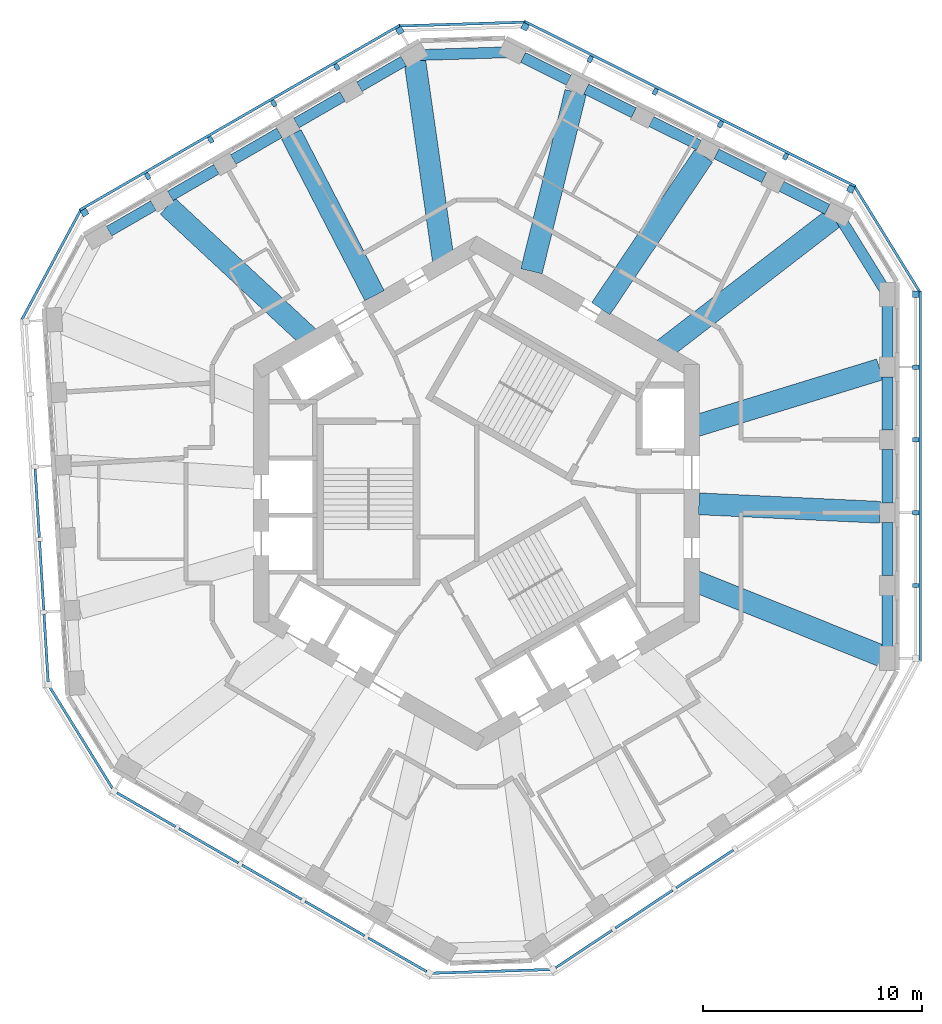
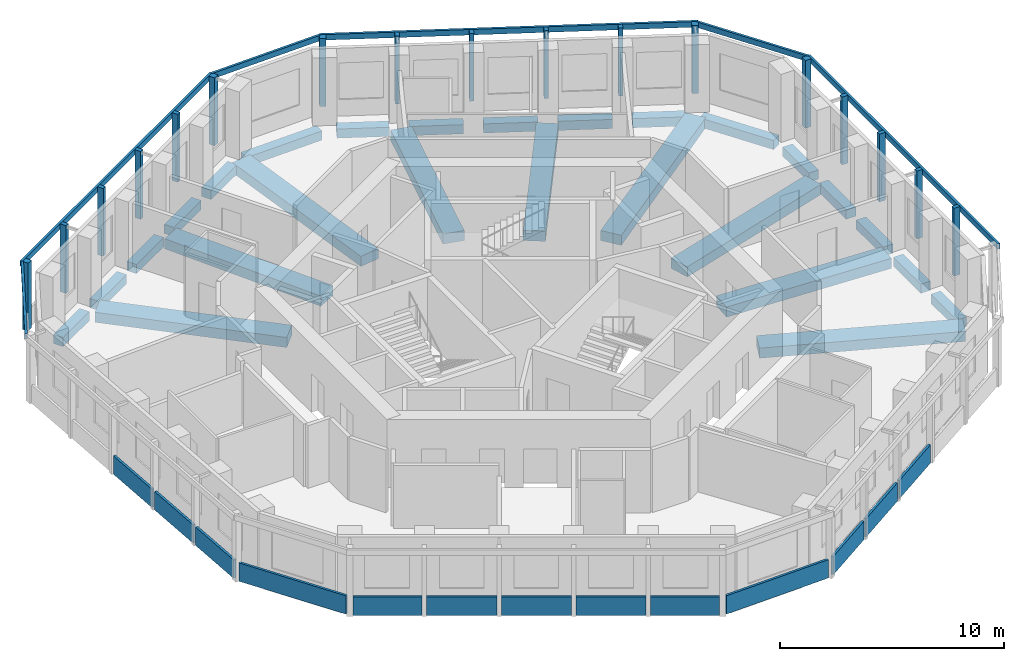
# One storey, part 2 of 10: 26 beams, 23 members, 13 plates, 11 elements without a shape of their own.
"""IFC4 building model written with IfcOpenShell, lengths in metres."""

from ifc_helpers import new_model, si_unit, direction, frame, origin, origin_2d, place, context, subcontext, project, spatial, rectangle, extrude, material, layer, layer_set, material_profile, profile_set, type_object, element, aggregate, save


model = new_model("IFC4")

# Units and contexts
model_context = context("Model", 3, precision=1e-05, world=origin(), true_north=direction((0.0, 1.0)))
body_context = subcontext(model_context, "Body", "Model", "MODEL_VIEW")
ifc_project = project(units=[si_unit("LENGTHUNIT", "METRE"), si_unit("AREAUNIT", "SQUARE_METRE"), si_unit("VOLUMEUNIT", "CUBIC_METRE"), si_unit("PLANEANGLEUNIT", "RADIAN"), si_unit("MASSUNIT", "GRAM", prefix="KILO")], contexts=[model_context])

# Site, building, storey
site_placement = place(None, origin())
site = spatial("IfcSite", under=ifc_project, at=site_placement, CompositionType="ELEMENT")
building_placement = place(site_placement, origin())
building = spatial("IfcBuilding", under=site, at=building_placement, Name="Vanh Sen Convention Tower", CompositionType="ELEMENT")
storey_placement = place(building_placement, frame((0.0, 0.0, 267.199951171875)))
storey = spatial("IfcBuildingStorey", under=building, at=storey_placement, Name="L66", CompositionType="ELEMENT", Elevation=267.199951171875)

# Curtain wall, member
ifc_material_1 = material(Name="Concrete C50/60", Category="concrete")
curtain_wall_type = type_object("IfcCurtainWallType", Name="Outer skin office zone", PredefinedType="NOTDEFINED", material=ifc_material_1)
curtain_wall_1_placement = place(storey_placement, origin())
curtain_wall_1 = element("IfcCurtainWall", 1, at=curtain_wall_1_placement, inside=storey, type_object=curtain_wall_type, Name="OUTER SKIN E L66", PredefinedType="NOTDEFINED")
ifc_material_profile_1 = material_profile(ifc_material_1, rectangle(XDim=0.300048828125, YDim=0.300048828125, at=origin_2d()), Name="Outer skin precast corner fin 300 x 300")
ifc_profile_set_1 = profile_set([ifc_material_profile_1], Name="Concrete C50/60")
member_type_1 = type_object("IfcMemberType", Name="Outer skin precast corner fin 300 x 300", PredefinedType="MULLION", material=ifc_profile_set_1)
member_1_placement = place(storey_placement, frame((20.10009765625, 9.111572265625, 0.0), z_axis=(0.0, 0.0, 1.0), x_axis=(0.0, 1.0, 0.0)))
member_1 = element("IfcMember", 2, at=member_1_placement, type_object=member_type_1, Name="OUTER SKIN CORNER FIN 6 E L66", PredefinedType="MULLION", context=body_context, shape_type="SweptSolid", body=[
    extrude(rectangle(XDim=0.300048828125, YDim=0.300048828125, at=origin_2d()), origin(), (0.0, 0.0, 1.0), 3.699951171875),
])

# Curtain wall, members
curtain_wall_2_placement = place(storey_placement, origin())
curtain_wall_2 = element("IfcCurtainWall", 3, at=curtain_wall_2_placement, inside=storey, type_object=curtain_wall_type, Name="OUTER SKIN NE L66", PredefinedType="NOTDEFINED")
member_2_placement = place(storey_placement, frame((17.122802734375, 13.922607421875, 0.0), z_axis=(0.0, 0.0, 1.0), x_axis=(-0.894934361602, 0.44619781311, 0.0)))
member_2 = element("IfcMember", 4, at=member_2_placement, type_object=member_type_1, Name="OUTER SKIN CORNER FIN 1 NE L66", PredefinedType="MULLION", context=body_context, shape_type="SweptSolid", body=[
    extrude(rectangle(XDim=0.300048828125, YDim=0.300048828125, at=origin_2d()), origin(), (0.0, 0.0, 1.0), 3.699951171875),
])
member_3_placement = place(storey_placement, frame((2.21484375, 21.35546875, 0.0), z_axis=(0.0, 0.0, 1.0), x_axis=(-0.894934361602, 0.44619781311, 0.0)))
member_3 = element("IfcMember", 5, at=member_3_placement, type_object=member_type_1, Name="OUTER SKIN CORNER FIN 6 NE L66", PredefinedType="MULLION", context=body_context, shape_type="SweptSolid", body=[
    extrude(rectangle(XDim=0.300048828125, YDim=0.300048828125, at=origin_2d()), origin(), (0.0, 0.0, 1.0), 3.699951171875),
])

curtain_wall_3_placement = place(storey_placement, origin())
curtain_wall_3 = element("IfcCurtainWall", 6, at=curtain_wall_3_placement, inside=storey, type_object=curtain_wall_type, Name="OUTER SKIN NW L66", PredefinedType="NOTDEFINED")
member_4_placement = place(storey_placement, frame((-3.514404296875, 21.180419921875, 0.0), z_axis=(0.0, 0.0, 1.0), x_axis=(-0.866025403784, -0.5, 0.0)))
member_4 = element("IfcMember", 7, at=member_4_placement, type_object=member_type_1, Name="OUTER SKIN CORNER FIN 1 NW L66", PredefinedType="MULLION", context=body_context, shape_type="SweptSolid", body=[
    extrude(rectangle(XDim=0.300048828125, YDim=0.300048828125, at=origin_2d()), origin(), (0.0, 0.0, 1.0), 3.699951171875),
])
member_5_placement = place(storey_placement, frame((-17.94091796875, 12.851318359375, 0.0), z_axis=(0.0, 0.0, 1.0), x_axis=(-0.866025403784, -0.5, 0.0)))
member_5 = element("IfcMember", 8, at=member_5_placement, type_object=member_type_1, Name="OUTER SKIN CORNER FIN 6 NW L66", PredefinedType="MULLION", context=body_context, shape_type="SweptSolid", body=[
    extrude(rectangle(XDim=0.300048828125, YDim=0.300048828125, at=origin_2d()), origin(), (0.0, 0.0, 1.0), 3.699951171875),
])

# Member
ifc_material_profile_2 = material_profile(ifc_material_1, rectangle(XDim=0.199951171875, YDim=0.300048828125, at=origin_2d()), Name="Outer skin precast fin 200 x 300")
ifc_profile_set_2 = profile_set([ifc_material_profile_2], Name="Concrete C50/60")
member_type_2 = type_object("IfcMemberType", Name="Outer skin precast fin 200 x 300", PredefinedType="MULLION", material=ifc_profile_set_2)
member_6_placement = place(storey_placement, frame((20.10009765625, -4.215087890625, 0.0), z_axis=(0.0, 0.0, 1.0), x_axis=(0.0, 1.0, 0.0)))
member_6 = element("IfcMember", 9, at=member_6_placement, type_object=member_type_2, Name="OUTER SKIN fin 2 E L66", PredefinedType="MULLION", context=body_context, shape_type="SweptSolid", body=[
    extrude(rectangle(XDim=0.199951171875, YDim=0.300048828125, at=origin_2d()), origin(), (0.0, 0.0, 1.0), 3.699951171875),
])

member_7_placement = place(storey_placement, frame((20.10009765625, -0.88330078125, 0.0), z_axis=(0.0, 0.0, 1.0), x_axis=(0.0, 1.0, 0.0)))
member_7 = element("IfcMember", 10, at=member_7_placement, type_object=member_type_2, Name="OUTER SKIN fin 3 E L66", PredefinedType="MULLION", context=body_context, shape_type="SweptSolid", body=[
    extrude(rectangle(XDim=0.199951171875, YDim=0.300048828125, at=origin_2d()), origin(), (0.0, 0.0, 1.0), 3.699951171875),
])

member_8_placement = place(storey_placement, frame((20.10009765625, 2.4482421875, 0.0), z_axis=(0.0, 0.0, 1.0), x_axis=(0.0, 1.0, 0.0)))
member_8 = element("IfcMember", 11, at=member_8_placement, type_object=member_type_2, Name="OUTER SKIN fin 4 E L66", PredefinedType="MULLION", context=body_context, shape_type="SweptSolid", body=[
    extrude(rectangle(XDim=0.199951171875, YDim=0.300048828125, at=origin_2d()), origin(), (0.0, 0.0, 1.0), 3.699951171875),
])

member_9_placement = place(storey_placement, frame((20.10009765625, 5.77978515625, 0.0), z_axis=(0.0, 0.0, 1.0), x_axis=(0.0, 1.0, 0.0)))
member_9 = element("IfcMember", 12, at=member_9_placement, type_object=member_type_2, Name="OUTER SKIN fin 5 E L66", PredefinedType="MULLION", context=body_context, shape_type="SweptSolid", body=[
    extrude(rectangle(XDim=0.199951171875, YDim=0.300048828125, at=origin_2d()), origin(), (0.0, 0.0, 1.0), 3.699951171875),
])

member_10_placement = place(storey_placement, frame((14.14111328125, 15.4091796875, 0.0), z_axis=(0.0, 0.0, 1.0), x_axis=(-0.894934361602, 0.44619781311, 0.0)))
member_10 = element("IfcMember", 13, at=member_10_placement, type_object=member_type_2, Name="OUTER SKIN fin 2 NE L66", PredefinedType="MULLION", context=body_context, shape_type="SweptSolid", body=[
    extrude(rectangle(XDim=0.199951171875, YDim=0.300048828125, at=origin_2d()), origin(), (0.0, 0.0, 1.0), 3.699951171875),
])

member_11_placement = place(storey_placement, frame((11.15966796875, 16.895751953125, 0.0), z_axis=(0.0, 0.0, 1.0), x_axis=(-0.894934361602, 0.44619781311, 0.0)))
member_11 = element("IfcMember", 14, at=member_11_placement, type_object=member_type_2, Name="OUTER SKIN fin 3 NE L66", PredefinedType="MULLION", context=body_context, shape_type="SweptSolid", body=[
    extrude(rectangle(XDim=0.199951171875, YDim=0.300048828125, at=origin_2d()), origin(), (0.0, 0.0, 1.0), 3.699951171875),
])

member_12_placement = place(storey_placement, frame((8.177978515625, 18.38232421875, 0.0), z_axis=(0.0, 0.0, 1.0), x_axis=(-0.894934361602, 0.44619781311, 0.0)))
member_12 = element("IfcMember", 15, at=member_12_placement, type_object=member_type_2, Name="OUTER SKIN fin 4 NE L66", PredefinedType="MULLION", context=body_context, shape_type="SweptSolid", body=[
    extrude(rectangle(XDim=0.199951171875, YDim=0.300048828125, at=origin_2d()), origin(), (0.0, 0.0, 1.0), 3.699951171875),
])

member_13_placement = place(storey_placement, frame((5.1962890625, 19.868896484375, 0.0), z_axis=(0.0, 0.0, 1.0), x_axis=(-0.894934361602, 0.44619781311, 0.0)))
member_13 = element("IfcMember", 16, at=member_13_placement, type_object=member_type_2, Name="OUTER SKIN fin 5 NE L66", PredefinedType="MULLION", context=body_context, shape_type="SweptSolid", body=[
    extrude(rectangle(XDim=0.199951171875, YDim=0.300048828125, at=origin_2d()), origin(), (0.0, 0.0, 1.0), 3.699951171875),
])

member_14_placement = place(storey_placement, frame((-6.399658203125, 19.5146484375, 0.0), z_axis=(0.0, 0.0, 1.0), x_axis=(-0.866025403784, -0.5, 0.0)))
member_14 = element("IfcMember", 17, at=member_14_placement, type_object=member_type_2, Name="OUTER SKIN fin 2 NW L66", PredefinedType="MULLION", context=body_context, shape_type="SweptSolid", body=[
    extrude(rectangle(XDim=0.199951171875, YDim=0.300048828125, at=origin_2d()), origin(), (0.0, 0.0, 1.0), 3.699951171875),
])

member_15_placement = place(storey_placement, frame((-9.284912109375, 17.848876953125, 0.0), z_axis=(0.0, 0.0, 1.0), x_axis=(-0.866025403784, -0.5, 0.0)))
member_15 = element("IfcMember", 18, at=member_15_placement, type_object=member_type_2, Name="OUTER SKIN fin 3 NW L66", PredefinedType="MULLION", context=body_context, shape_type="SweptSolid", body=[
    extrude(rectangle(XDim=0.199951171875, YDim=0.300048828125, at=origin_2d()), origin(), (0.0, 0.0, 1.0), 3.699951171875),
])

member_16_placement = place(storey_placement, frame((-12.170166015625, 16.18310546875, 0.0), z_axis=(0.0, 0.0, 1.0), x_axis=(-0.866025403784, -0.5, 0.0)))
member_16 = element("IfcMember", 19, at=member_16_placement, type_object=member_type_2, Name="OUTER SKIN fin 4 NW L66", PredefinedType="MULLION", context=body_context, shape_type="SweptSolid", body=[
    extrude(rectangle(XDim=0.199951171875, YDim=0.300048828125, at=origin_2d()), origin(), (0.0, 0.0, 1.0), 3.699951171875),
])

member_17_placement = place(storey_placement, frame((-15.055419921875, 14.51708984375, 0.0), z_axis=(0.0, 0.0, 1.0), x_axis=(-0.866025403784, -0.5, 0.0)))
member_17 = element("IfcMember", 20, at=member_17_placement, type_object=member_type_2, Name="OUTER SKIN fin 5 NW L66", PredefinedType="MULLION", context=body_context, shape_type="SweptSolid", body=[
    extrude(rectangle(XDim=0.199951171875, YDim=0.300048828125, at=origin_2d()), origin(), (0.0, 0.0, 1.0), 3.699951171875),
])

ifc_material_profile_3 = material_profile(ifc_material_1, rectangle(XDim=0.1201171875, YDim=0.300048828125, at=origin_2d()), Name="Outer skin precast spandrel band 300 x 120")
ifc_profile_set_3 = profile_set([ifc_material_profile_3], Name="Concrete C50/60")
member_type_3 = type_object("IfcMemberType", Name="Outer skin precast spandrel band 300 x 120", PredefinedType="USERDEFINED", material=ifc_profile_set_3)
member_18_placement = place(storey_placement, frame((20.31005859375, -7.69677734375, 3.550048828125), z_axis=(0.0, 1.0, 0.0), x_axis=(-1.0, 0.0, 0.0)))
member_18 = element("IfcMember", 21, at=member_18_placement, type_object=member_type_3, Name="OUTER SKIN spandrel band E L66", ObjectType="TRANSOM", PredefinedType="USERDEFINED", context=body_context, shape_type="SweptSolid", body=[
    extrude(rectangle(XDim=0.1201171875, YDim=0.300048828125, at=origin_2d()), origin(), (0.0, 0.0, 1.0), 16.958251953125),
])

aggregate(curtain_wall_1, [member_6, member_7, member_8, member_9, member_1, member_18])

# Curtain wall, member
curtain_wall_4_placement = place(storey_placement, origin())
curtain_wall_4 = element("IfcCurtainWall", 22, at=curtain_wall_4_placement, inside=storey, type_object=curtain_wall_type, Name="OUTER SKIN CH1 L66", PredefinedType="NOTDEFINED")
member_19_placement = place(storey_placement, frame((20.278564453125, 9.221923828125, 3.550048828125), z_axis=(-0.52621200061, 0.850353415007, 0.0), x_axis=(-0.850353415007, -0.52621200061, 0.0)))
member_19 = element("IfcMember", 23, at=member_19_placement, type_object=member_type_3, Name="OUTER SKIN spandrel band CH1 L66", ObjectType="TRANSOM", PredefinedType="USERDEFINED", context=body_context, shape_type="SweptSolid", body=[
    extrude(rectangle(XDim=0.1201171875, YDim=0.300048828125, at=origin_2d()), origin(), (0.0, 0.0, 1.0), 5.657958984375),
])
aggregate(curtain_wall_4, [member_19])

# Member
member_20_placement = place(storey_placement, frame((17.3505859375, 14.043701171875, 3.550048828125), z_axis=(-0.894933383827, 0.446199774218, 0.0), x_axis=(-0.446199774218, -0.894933383827, 0.0)))
member_20 = element("IfcMember", 24, at=member_20_placement, type_object=member_type_3, Name="OUTER SKIN spandrel band NE L66", ObjectType="TRANSOM", PredefinedType="USERDEFINED", context=body_context, shape_type="SweptSolid", body=[
    extrude(rectangle(XDim=0.1201171875, YDim=0.300048828125, at=origin_2d()), origin(), (0.0, 0.0, 1.0), 16.9580078125),
])

aggregate(curtain_wall_2, [member_2, member_10, member_11, member_12, member_13, member_3, member_20])

# Curtain wall, member
curtain_wall_5_placement = place(storey_placement, origin())
curtain_wall_5 = element("IfcCurtainWall", 25, at=curtain_wall_5_placement, inside=storey, type_object=curtain_wall_type, Name="OUTER SKIN CH2 L66", PredefinedType="NOTDEFINED")
member_21_placement = place(storey_placement, frame((2.208251953125, 21.5654296875, 3.550048828125), z_axis=(-0.999533527312, -0.030540592307, 0.0), x_axis=(0.030540592307, -0.999533527312, 0.0)))
member_21 = element("IfcMember", 26, at=member_21_placement, type_object=member_type_3, Name="OUTER SKIN spandrel band CH2 L66", ObjectType="TRANSOM", PredefinedType="USERDEFINED", context=body_context, shape_type="SweptSolid", body=[
    extrude(rectangle(XDim=0.1201171875, YDim=0.300048828125, at=origin_2d()), origin(), (0.0, 0.0, 1.0), 5.731689453125),
])
aggregate(curtain_wall_5, [member_21])

# Member
member_22_placement = place(storey_placement, frame((-3.489501953125, 21.4375, 3.550048828125), z_axis=(-0.866022320763, -0.500005339912, 0.0), x_axis=(0.500005339912, -0.866022320763, 0.0)))
member_22 = element("IfcMember", 27, at=member_22_placement, type_object=member_type_3, Name="OUTER SKIN spandrel band NW L66", ObjectType="TRANSOM", PredefinedType="USERDEFINED", context=body_context, shape_type="SweptSolid", body=[
    extrude(rectangle(XDim=0.1201171875, YDim=0.300048828125, at=origin_2d()), origin(), (0.0, 0.0, 1.0), 16.958251953125),
])

aggregate(curtain_wall_3, [member_4, member_14, member_15, member_16, member_17, member_5, member_22])

# Curtain wall, member
curtain_wall_6_placement = place(storey_placement, origin())
curtain_wall_6 = element("IfcCurtainWall", 28, at=curtain_wall_6_placement, inside=storey, type_object=curtain_wall_type, Name="OUTER SKIN CH3 L66", PredefinedType="NOTDEFINED")
member_23_placement = place(storey_placement, frame((-18.125732421875, 12.95068359375, 3.550048828125), z_axis=(-0.473325096028, -0.880887821161, 0.0), x_axis=(0.880887821161, -0.473325096028, 0.0)))
member_23 = element("IfcMember", 29, at=member_23_placement, type_object=member_type_3, Name="OUTER SKIN spandrel band CH3 L66", ObjectType="TRANSOM", PredefinedType="USERDEFINED", context=body_context, shape_type="SweptSolid", body=[
    extrude(rectangle(XDim=0.1201171875, YDim=0.300048828125, at=origin_2d()), origin(), (0.0, 0.0, 1.0), 5.65771484375),
])
aggregate(curtain_wall_6, [member_23])

# Beams
ifc_material_2 = material(Name="Concrete C50/60", Category="concrete")
ifc_material_profile_4 = material_profile(ifc_material_2, rectangle(XDim=1.0, YDim=0.550048828125, at=origin_2d()), Name="RC 1000X550")
ifc_profile_set_4 = profile_set([ifc_material_profile_4], Name="Concrete C50/60")
beam_type_1 = type_object("IfcBeamType", Name="Radial floor beam 1000 x 550", PredefinedType="BEAM", material=ifc_profile_set_4)
beam_1_placement = place(storey_placement, frame((18.640869140625, -7.48291015625, -0.554931640625), z_axis=(-0.928018005696, 0.372535342087, 0.0), x_axis=(-0.372535342087, -0.928018005696, 0.0)))
element("IfcBeam", 30, at=beam_1_placement, inside=storey, type_object=beam_type_1, Name="Radial beam 01 L66", PredefinedType="BEAM", context=body_context, shape_type="SweptSolid", body=[
    extrude(rectangle(XDim=1.0, YDim=0.550048828125, at=origin_2d()), origin(), (0.0, 0.0, 1.0), 9.30126953125),
])
beam_2_placement = place(storey_placement, frame((18.455078125, -0.8671875, -0.554931640625), z_axis=(-0.998898306547, 0.046927318026, 0.0), x_axis=(-0.046927318026, -0.998898306547, 0.0)))
element("IfcBeam", 31, at=beam_2_placement, inside=storey, type_object=beam_type_1, Name="Radial beam 02 L66", PredefinedType="BEAM", context=body_context, shape_type="SweptSolid", body=[
    extrude(rectangle(XDim=1.0, YDim=0.550048828125, at=origin_2d()), origin(), (0.0, 0.0, 1.0), 8.292724609375),
])
beam_3_placement = place(storey_placement, frame((18.454833984375, 5.673828125, -0.554931640625), z_axis=(-0.955847406594, -0.293863463718, 0.0), x_axis=(0.293863463718, -0.955847406594, 0.0)))
element("IfcBeam", 32, at=beam_3_placement, inside=storey, type_object=beam_type_1, Name="Radial beam 03 L66", PredefinedType="BEAM", context=body_context, shape_type="SweptSolid", body=[
    extrude(rectangle(XDim=1.0, YDim=0.550048828125, at=origin_2d()), origin(), (0.0, 0.0, 1.0), 8.794921875),
])
beam_4_placement = place(storey_placement, frame((16.4306640625, 12.672607421875, -0.554931640625), z_axis=(-0.791844751327, -0.610722432695, 0.0), x_axis=(0.610722432695, -0.791844751327, 0.0)))
element("IfcBeam", 33, at=beam_4_placement, inside=storey, type_object=beam_type_1, Name="Radial beam 04 L66", PredefinedType="BEAM", context=body_context, shape_type="SweptSolid", body=[
    extrude(rectangle(XDim=1.0, YDim=0.550048828125, at=origin_2d()), origin(), (0.0, 0.0, 1.0), 9.931640625),
])
beam_5_placement = place(storey_placement, frame((10.38525390625, 15.443603515625, -0.554931640625), z_axis=(-0.558018918526, -0.829828227145, 0.0), x_axis=(0.829828227145, -0.558018918526, 0.0)))
element("IfcBeam", 34, at=beam_5_placement, inside=storey, type_object=beam_type_1, Name="Radial beam 05 L66", PredefinedType="BEAM", context=body_context, shape_type="SweptSolid", body=[
    extrude(rectangle(XDim=1.0, YDim=0.550048828125, at=origin_2d()), origin(), (0.0, 0.0, 1.0), 8.426025390625),
])
beam_6_placement = place(storey_placement, frame((4.531494140625, 18.362060546875, -0.554931640625), z_axis=(-0.239595668833, -0.970872759674, 0.0), x_axis=(0.970872759674, -0.239595668833, 0.0)))
element("IfcBeam", 35, at=beam_6_placement, inside=storey, type_object=beam_type_1, Name="Radial beam 06 L66", PredefinedType="BEAM", context=body_context, shape_type="SweptSolid", body=[
    extrude(rectangle(XDim=1.0, YDim=0.550048828125, at=origin_2d()), origin(), (0.0, 0.0, 1.0), 8.444091796875),
])
beam_7_placement = place(storey_placement, frame((-2.840087890625, 19.885009765625, -0.554931640625), z_axis=(0.141395633576, -0.989953167986, 0.0), x_axis=(0.989953167986, 0.141395633576, 0.0)))
element("IfcBeam", 36, at=beam_7_placement, inside=storey, type_object=beam_type_1, Name="Radial beam 07 L66", PredefinedType="BEAM", context=body_context, shape_type="SweptSolid", body=[
    extrude(rectangle(XDim=1.0, YDim=0.550048828125, at=origin_2d()), origin(), (0.0, 0.0, 1.0), 9.301513671875),
])
beam_8_placement = place(storey_placement, frame((-8.476318359375, 16.416015625, -0.554931640625), z_axis=(0.458787653856, -0.888545940664, 0.0), x_axis=(0.888545940664, 0.458787653856, 0.0)))
element("IfcBeam", 37, at=beam_8_placement, inside=storey, type_object=beam_type_1, Name="Radial beam 08 L66", PredefinedType="BEAM", context=body_context, shape_type="SweptSolid", body=[
    extrude(rectangle(XDim=1.0, YDim=0.550048828125, at=origin_2d()), origin(), (0.0, 0.0, 1.0), 8.29248046875),
])
beam_9_placement = place(storey_placement, frame((-14.14111328125, 13.1455078125, -0.554931640625), z_axis=(0.732424605886, -0.680848145104, 0.0), x_axis=(0.680848145104, 0.732424605886, 0.0)))
element("IfcBeam", 38, at=beam_9_placement, inside=storey, type_object=beam_type_1, Name="Radial beam 09 L66", PredefinedType="BEAM", context=body_context, shape_type="SweptSolid", body=[
    extrude(rectangle(XDim=1.0, YDim=0.550048828125, at=origin_2d()), origin(), (0.0, 0.0, 1.0), 8.794921875),
])
ifc_material_profile_5 = material_profile(ifc_material_2, rectangle(XDim=0.5, YDim=0.5, at=origin_2d()), Name="RC 500X500")
ifc_profile_set_5 = profile_set([ifc_material_profile_5], Name="Concrete C50/60")
beam_type_2 = type_object("IfcBeamType", Name="Spandrel beam 500 x 500", PredefinedType="SPANDREL", material=ifc_profile_set_5)
beam_10_placement = place(storey_placement, frame((18.800048828125, -7.001708984375, -0.530029296875), z_axis=(0.0, 1.0, 0.0), x_axis=(-1.0, 0.0, 0.0)))
element("IfcBeam", 39, at=beam_10_placement, inside=storey, type_object=beam_type_2, Name="Spandrel beam 01 L66", PredefinedType="SPANDREL", context=body_context, shape_type="SweptSolid", body=[
    extrude(rectangle(XDim=0.5, YDim=0.5, at=origin_2d()), origin(), (0.0, 0.0, 1.0), 2.341552734375),
])
for number, where, z_axis, x_axis, name in (
    (40, (18.800048828125, -3.77001953125, -0.530029296875), (0.0, 1.0, 0.0), (-1.0, 0.0, 0.0), "Spandrel beam 02 L66"),
    (41, (18.800048828125, -0.4384765625, -0.530029296875), (0.0, 1.0, 0.0), (-1.0, 0.0, 0.0), "Spandrel beam 03 L66"),
    (42, (18.800048828125, 2.893310546875, -0.530029296875), (0.0, 1.0, 0.0), (-1.0, 0.0, 0.0), "Spandrel beam 04 L66"),
):
    element("IfcBeam", number, at=place(storey_placement, frame(where, z_axis=z_axis, x_axis=x_axis)), inside=storey, type_object=beam_type_2, Name=name, PredefinedType="SPANDREL", context=body_context, shape_type="SweptSolid", body=[
        extrude(rectangle(XDim=0.5, YDim=0.5, at=origin_2d()), origin(), (0.0, 0.0, 1.0), 2.441650390625),
    ])
beam_11_placement = place(storey_placement, frame((18.800048828125, 6.224853515625, -0.530029296875), z_axis=(0.0, 1.0, 0.0), x_axis=(-1.0, 0.0, 0.0)))
element("IfcBeam", 43, at=beam_11_placement, inside=storey, type_object=beam_type_2, Name="Spandrel beam 05 L66", PredefinedType="SPANDREL", context=body_context, shape_type="SweptSolid", body=[
    extrude(rectangle(XDim=0.5, YDim=0.5, at=origin_2d()), origin(), (0.0, 0.0, 1.0), 2.341552734375),
])
beam_12_placement = place(storey_placement, frame((18.665283203125, 9.329345703125, -0.530029296875), z_axis=(-0.526223333812, 0.85034640174, 0.0), x_axis=(-0.85034640174, -0.526223333812, 0.0)))
element("IfcBeam", 44, at=beam_12_placement, inside=storey, type_object=beam_type_2, Name="Spandrel beam 06 L66", PredefinedType="SPANDREL", context=body_context, shape_type="SweptSolid", body=[
    extrude(rectangle(XDim=0.5, YDim=0.5, at=origin_2d()), origin(), (0.0, 0.0, 1.0), 3.777587890625),
])
beam_13_placement = place(storey_placement, frame((16.054931640625, 13.00244140625, -0.530029296875), z_axis=(-0.894947932365, 0.446170593334, 0.0), x_axis=(-0.446170593334, -0.894947932365, 0.0)))
element("IfcBeam", 45, at=beam_13_placement, inside=storey, type_object=beam_type_2, Name="Spandrel beam 07 L66", PredefinedType="SPANDREL", context=body_context, shape_type="SweptSolid", body=[
    extrude(rectangle(XDim=0.5, YDim=0.5, at=origin_2d()), origin(), (0.0, 0.0, 1.0), 2.341552734375),
])
for number, where, z_axis, x_axis, name in (
    (46, (13.162841796875, 14.4443359375, -0.530029296875), (-0.894946555388, 0.446173355323, 0.0), (-0.446173355323, -0.894946555388, 0.0), "Spandrel beam 08 L66"),
    (47, (10.18115234375, 15.930908203125, -0.530029296875), (-0.894906625839, 0.446253438114, 0.0), (-0.446253438114, -0.894906625839, 0.0), "Spandrel beam 09 L66"),
    (48, (7.19970703125, 17.41748046875, -0.530029296875), (-0.894946555388, 0.446173355323, 0.0), (-0.446173355323, -0.894946555388, 0.0), "Spandrel beam 10 L66"),
):
    element("IfcBeam", number, at=place(storey_placement, frame(where, z_axis=z_axis, x_axis=x_axis)), inside=storey, type_object=beam_type_2, Name=name, PredefinedType="SPANDREL", context=body_context, shape_type="SweptSolid", body=[
        extrude(rectangle(XDim=0.5, YDim=0.5, at=origin_2d()), origin(), (0.0, 0.0, 1.0), 2.441650390625),
    ])
beam_14_placement = place(storey_placement, frame((4.218017578125, 18.904052734375, -0.530029296875), z_axis=(-0.894927056226, 0.446212465127, 0.0), x_axis=(-0.446212465127, -0.894927056226, 0.0)))
element("IfcBeam", 49, at=beam_14_placement, inside=storey, type_object=beam_type_2, Name="Spandrel beam 11 L66", PredefinedType="SPANDREL", context=body_context, shape_type="SweptSolid", body=[
    extrude(rectangle(XDim=0.5, YDim=0.5, at=origin_2d()), origin(), (0.0, 0.0, 1.0), 2.341796875),
])
beam_15_placement = place(storey_placement, frame((1.36572265625, 20.183837890625, -0.530029296875), z_axis=(-0.999534883819, -0.03049616417, 0.0), x_axis=(0.03049616417, -0.999534883819, 0.0)))
element("IfcBeam", 50, at=beam_15_placement, inside=storey, type_object=beam_type_2, Name="Spandrel beam 12 L66", PredefinedType="SPANDREL", context=body_context, shape_type="SweptSolid", body=[
    extrude(rectangle(XDim=0.5, YDim=0.5, at=origin_2d()), origin(), (0.0, 0.0, 1.0), 3.962890625),
])
beam_16_placement = place(storey_placement, frame((-3.336181640625, 19.7822265625, -0.530029296875), z_axis=(-0.866027601604, -0.499996193246, 0.0), x_axis=(0.499996193246, -0.866027601604, 0.0)))
element("IfcBeam", 51, at=beam_16_placement, inside=storey, type_object=beam_type_2, Name="Spandrel beam 13 L66", PredefinedType="SPANDREL", context=body_context, shape_type="SweptSolid", body=[
    extrude(rectangle(XDim=0.5, YDim=0.5, at=origin_2d()), origin(), (0.0, 0.0, 1.0), 2.341796875),
])
for number, where, z_axis, x_axis, name in (
    (52, (-6.135009765625, 18.166259765625, -0.530029296875), (-0.866044051031, -0.49996770063, 0.0), (0.49996770063, -0.866044051031, 0.0), "Spandrel beam 14 L66"),
    (53, (-9.020263671875, 16.50048828125, -0.530029296875), (-0.866044051031, -0.49996770063, 0.0), (0.49996770063, -0.866044051031, 0.0), "Spandrel beam 15 L66"),
    (54, (-11.905517578125, 14.834716796875, -0.530029296875), (-0.866000753341, -0.500042693391, 0.0), (0.500042693391, -0.866000753341, 0.0), "Spandrel beam 16 L66"),
):
    element("IfcBeam", number, at=place(storey_placement, frame(where, z_axis=z_axis, x_axis=x_axis)), inside=storey, type_object=beam_type_2, Name=name, PredefinedType="SPANDREL", context=body_context, shape_type="SweptSolid", body=[
        extrude(rectangle(XDim=0.5, YDim=0.5, at=origin_2d()), origin(), (0.0, 0.0, 1.0), 2.441650390625),
    ])
beam_17_placement = place(storey_placement, frame((-14.791015625, 13.168701171875, -0.530029296875), z_axis=(-0.866046683436, -0.499963140751, 0.0), x_axis=(0.499963140751, -0.866046683436, 0.0)))
element("IfcBeam", 55, at=beam_17_placement, inside=storey, type_object=beam_type_2, Name="Spandrel beam 17 L66", PredefinedType="SPANDREL", context=body_context, shape_type="SweptSolid", body=[
    extrude(rectangle(XDim=0.5, YDim=0.5, at=origin_2d()), origin(), (0.0, 0.0, 1.0), 2.341552734375),
])

# Curtain wall, plates
curtain_wall_7_placement = place(storey_placement, origin())
curtain_wall_7 = element("IfcCurtainWall", 56, at=curtain_wall_7_placement, inside=storey, type_object=curtain_wall_type, Name="OUTER SKIN W L66", PredefinedType="NOTDEFINED")
ifc_layer = layer(ifc_material_1, 0.1201171875)
ifc_layer_set = layer_set([ifc_layer], Name="Concrete C50/60")
plate_type = type_object("IfcPlateType", Name="Outer skin precast screen panel 120", PredefinedType="CURTAIN_PANEL", material=ifc_layer_set)
plate_1_placement = place(storey_placement, frame((-20.1103515625, -0.4462890625, 0.0), z_axis=(0.0, 0.0, 1.0), x_axis=(0.061052023682, -0.998134585316, 0.0)))
plate_1 = element("IfcPlate", 57, at=plate_1_placement, type_object=plate_type, Name="OUTER SKIN screen panel W-3", PredefinedType="CURTAIN_PANEL", context=body_context, shape_type="SweptSolid", body=[
    extrude(rectangle(XDim=3.131591796875, YDim=0.1201171875, at=origin_2d()), origin(), (0.0, 0.0, 1.0), 1.0),
])
plate_2_placement = place(storey_placement, frame((-19.906982421875, -3.771484375, 0.0), z_axis=(0.0, 0.0, 1.0), x_axis=(0.061052023682, -0.998134585316, 0.0)))
plate_2 = element("IfcPlate", 58, at=plate_2_placement, type_object=plate_type, Name="OUTER SKIN screen panel W-4", PredefinedType="CURTAIN_PANEL", context=body_context, shape_type="SweptSolid", body=[
    extrude(rectangle(XDim=3.131591796875, YDim=0.1201171875, at=origin_2d()), origin(), (0.0, 0.0, 1.0), 1.0),
])
plate_3_placement = place(storey_placement, frame((-19.705078125, -7.072021484375, 0.0), z_axis=(0.0, 0.0, 1.0), x_axis=(0.061050281609, -0.998134691871, 0.0)))
plate_3 = element("IfcPlate", 59, at=plate_3_placement, type_object=plate_type, Name="OUTER SKIN screen panel W-5", PredefinedType="CURTAIN_PANEL", context=body_context, shape_type="SweptSolid", body=[
    extrude(rectangle(XDim=3.081787109375, YDim=0.1201171875, at=origin_2d()), origin(), (0.0, 0.0, 1.0), 1.0),
])
aggregate(curtain_wall_7, [plate_1, plate_2, plate_3])

# Curtain wall, plate
curtain_wall_8_placement = place(storey_placement, origin())
curtain_wall_8 = element("IfcCurtainWall", 60, at=curtain_wall_8_placement, inside=storey, type_object=curtain_wall_type, Name="OUTER SKIN CH4 L66", PredefinedType="NOTDEFINED")
plate_4_placement = place(storey_placement, frame((-18.09375, -11.19677734375, 0.0), z_axis=(0.0, 0.0, 1.0), x_axis=(0.526210955359, -0.850354061823, 0.0)))
plate_4 = element("IfcPlate", 61, at=plate_4_placement, type_object=plate_type, Name="OUTER SKIN screen panel CH4-1", PredefinedType="CURTAIN_PANEL", context=body_context, shape_type="SweptSolid", body=[
    extrude(rectangle(XDim=5.431640625, YDim=0.1201171875, at=origin_2d()), origin(), (0.0, 0.0, 1.0), 1.0),
])
aggregate(curtain_wall_8, [plate_4])

# Curtain wall, plates
curtain_wall_9_placement = place(storey_placement, origin())
curtain_wall_9 = element("IfcCurtainWall", 62, at=curtain_wall_9_placement, inside=storey, type_object=curtain_wall_type, Name="OUTER SKIN SW L66", PredefinedType="NOTDEFINED")
plate_5_placement = place(storey_placement, frame((-15.121337890625, -14.47900390625, 0.0), z_axis=(0.0, 0.0, 1.0), x_axis=(0.866028894422, -0.49999395399, 0.0)))
plate_5 = element("IfcPlate", 63, at=plate_5_placement, type_object=plate_type, Name="OUTER SKIN screen panel SW-1", PredefinedType="CURTAIN_PANEL", context=body_context, shape_type="SweptSolid", body=[
    extrude(rectangle(XDim=3.08154296875, YDim=0.1201171875, at=origin_2d()), origin(), (0.0, 0.0, 1.0), 1.0),
])
plate_6_placement = place(storey_placement, frame((-12.2578125, -16.132568359375, 0.0), z_axis=(0.0, 0.0, 1.0), x_axis=(0.866015804314, -0.500016626402, 0.0)))
plate_6 = element("IfcPlate", 64, at=plate_6_placement, type_object=plate_type, Name="OUTER SKIN screen panel SW-2", PredefinedType="CURTAIN_PANEL", context=body_context, shape_type="SweptSolid", body=[
    extrude(rectangle(XDim=3.131591796875, YDim=0.1201171875, at=origin_2d()), origin(), (0.0, 0.0, 1.0), 1.0),
])
plate_7_placement = place(storey_placement, frame((-9.37255859375, -17.79833984375, 0.0), z_axis=(0.0, 0.0, 1.0), x_axis=(0.866028894422, -0.49999395399, 0.0)))
plate_7 = element("IfcPlate", 65, at=plate_7_placement, type_object=plate_type, Name="OUTER SKIN screen panel SW-3", PredefinedType="CURTAIN_PANEL", context=body_context, shape_type="SweptSolid", body=[
    extrude(rectangle(XDim=3.131591796875, YDim=0.1201171875, at=origin_2d()), origin(), (0.0, 0.0, 1.0), 1.0),
])
plate_8_placement = place(storey_placement, frame((-6.487060546875, -19.464111328125, 0.0), z_axis=(0.0, 0.0, 1.0), x_axis=(0.866028894422, -0.49999395399, 0.0)))
plate_8 = element("IfcPlate", 66, at=plate_8_placement, type_object=plate_type, Name="OUTER SKIN screen panel SW-4", PredefinedType="CURTAIN_PANEL", context=body_context, shape_type="SweptSolid", body=[
    extrude(rectangle(XDim=3.131591796875, YDim=0.1201171875, at=origin_2d()), origin(), (0.0, 0.0, 1.0), 1.0),
])
plate_9_placement = place(storey_placement, frame((-3.62353515625, -21.117431640625, 0.0), z_axis=(0.0, 0.0, 1.0), x_axis=(0.866028894422, -0.49999395399, 0.0)))
plate_9 = element("IfcPlate", 67, at=plate_9_placement, type_object=plate_type, Name="OUTER SKIN screen panel SW-5", PredefinedType="CURTAIN_PANEL", context=body_context, shape_type="SweptSolid", body=[
    extrude(rectangle(XDim=3.08154296875, YDim=0.1201171875, at=origin_2d()), origin(), (0.0, 0.0, 1.0), 1.0),
])
aggregate(curtain_wall_9, [plate_5, plate_6, plate_7, plate_8, plate_9])

# Curtain wall, plate
curtain_wall_10_placement = place(storey_placement, origin())
curtain_wall_10 = element("IfcCurtainWall", 68, at=curtain_wall_10_placement, inside=storey, type_object=curtain_wall_type, Name="OUTER SKIN CH5 L66", PredefinedType="NOTDEFINED")
plate_10_placement = place(storey_placement, frame((0.66845703125, -21.87646484375, 0.0), z_axis=(0.0, 0.0, 1.0), x_axis=(0.999533590837, 0.03053851321, 0.0)))
plate_10 = element("IfcPlate", 69, at=plate_10_placement, type_object=plate_type, Name="OUTER SKIN screen panel CH5-1", PredefinedType="CURTAIN_PANEL", context=body_context, shape_type="SweptSolid", body=[
    extrude(rectangle(XDim=5.35791015625, YDim=0.1201171875, at=origin_2d()), origin(), (0.0, 0.0, 1.0), 1.0),
])
aggregate(curtain_wall_10, [plate_10])

# Curtain wall, plates
curtain_wall_11_placement = place(storey_placement, origin())
curtain_wall_11 = element("IfcCurtainWall", 70, at=curtain_wall_11_placement, inside=storey, type_object=curtain_wall_type, Name="OUTER SKIN SE L66", PredefinedType="NOTDEFINED")
plate_11_placement = place(storey_placement, frame((4.906005859375, -20.85693359375, 0.0), z_axis=(0.0, 0.0, 1.0), x_axis=(0.833902198, 0.551912243179, 0.0)))
plate_11 = element("IfcPlate", 71, at=plate_11_placement, type_object=plate_type, Name="OUTER SKIN screen panel SE-1", PredefinedType="CURTAIN_PANEL", context=body_context, shape_type="SweptSolid", body=[
    extrude(rectangle(XDim=3.081787109375, YDim=0.1201171875, at=origin_2d()), origin(), (0.0, 0.0, 1.0), 1.0),
])
plate_12_placement = place(storey_placement, frame((7.663330078125, -19.03173828125, 0.0), z_axis=(0.0, 0.0, 1.0), x_axis=(0.833879078823, 0.551947173108, 0.0)))
plate_12 = element("IfcPlate", 72, at=plate_12_placement, type_object=plate_type, Name="OUTER SKIN screen panel SE-2", PredefinedType="CURTAIN_PANEL", context=body_context, shape_type="SweptSolid", body=[
    extrude(rectangle(XDim=3.131591796875, YDim=0.1201171875, at=origin_2d()), origin(), (0.0, 0.0, 1.0), 1.0),
])
plate_13_placement = place(storey_placement, frame((10.44140625, -17.193115234375, 0.0), z_axis=(0.0, 0.0, 1.0), x_axis=(0.833892565187, 0.551926797434, 0.0)))
plate_13 = element("IfcPlate", 73, at=plate_13_placement, type_object=plate_type, Name="OUTER SKIN screen panel SE-3", PredefinedType="CURTAIN_PANEL", context=body_context, shape_type="SweptSolid", body=[
    extrude(rectangle(XDim=3.131591796875, YDim=0.1201171875, at=origin_2d()), origin(), (0.0, 0.0, 1.0), 1.0),
])
aggregate(curtain_wall_11, [plate_11, plate_12, plate_13])

save(model, "model.ifc")
